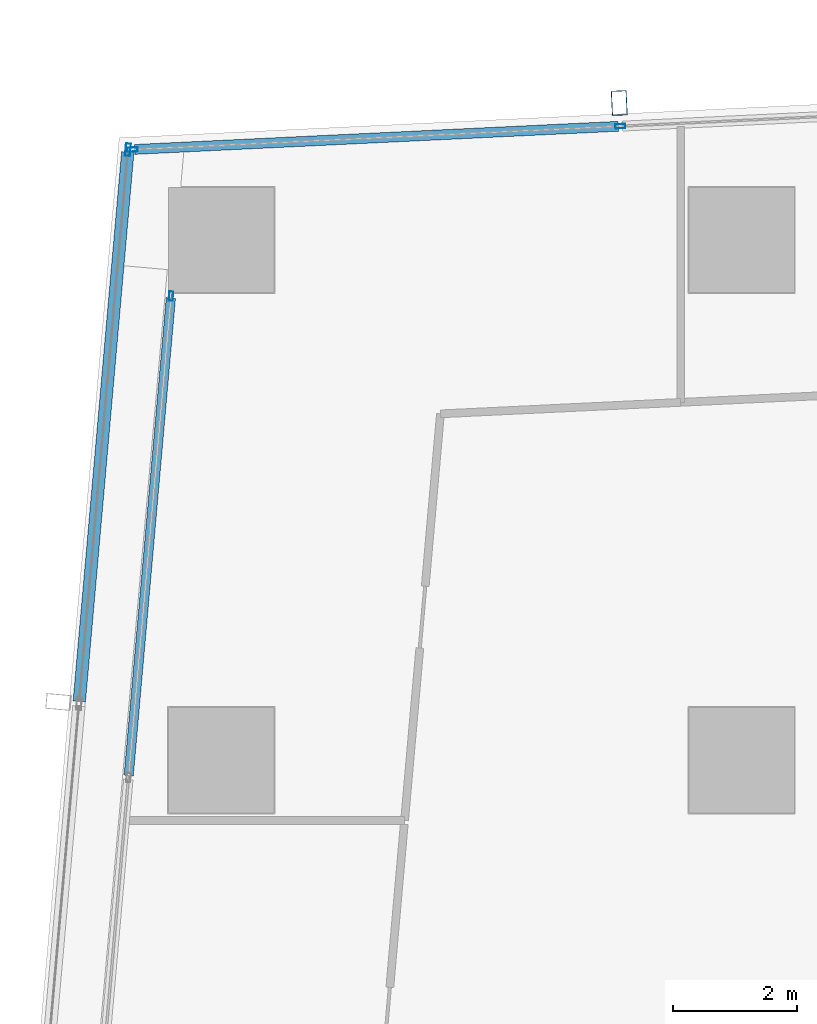
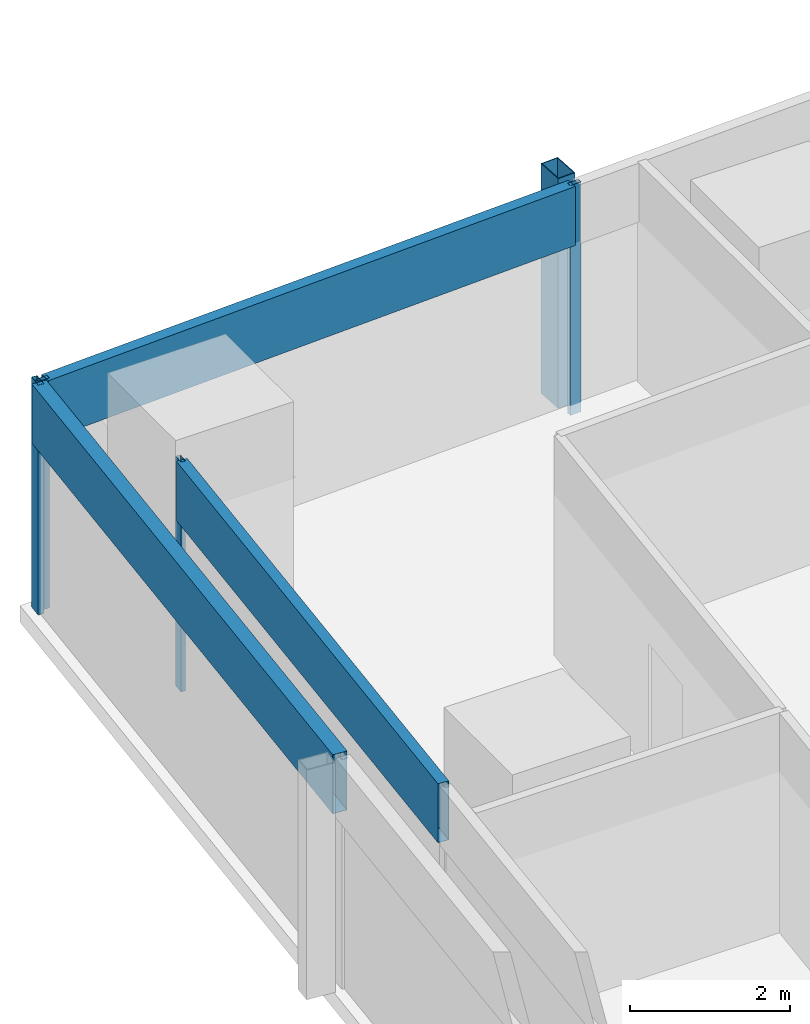
# One storey, part 17 of 39: 8 members, 3 elements without a shape of their own.
"""IFC4 building model written with IfcOpenShell, lengths in metres."""

from ifc_helpers import new_model, si_unit, direction, frame, origin, origin_2d, place, context, subcontext, project, spatial, hollow_rectangle, extrude, material, material_profile, profile_set, type_object, element, aggregate, save


model = new_model("IFC4")

# Units and contexts
model_context = context("Model", 3, precision=1e-05, world=origin(), true_north=direction((0.0, 1.0)))
body_context = subcontext(model_context, "Body", "Model", "MODEL_VIEW")
ifc_project = project(units=[si_unit("LENGTHUNIT", "METRE"), si_unit("AREAUNIT", "SQUARE_METRE"), si_unit("VOLUMEUNIT", "CUBIC_METRE"), si_unit("PLANEANGLEUNIT", "RADIAN"), si_unit("MASSUNIT", "GRAM", prefix="KILO")], contexts=[model_context])

# Site, building, storey
site_placement = place(None, origin())
site = spatial("IfcSite", under=ifc_project, at=site_placement, CompositionType="ELEMENT")
building_placement = place(site_placement, origin())
building = spatial("IfcBuilding", under=site, at=building_placement, Name="Rekha Terrace Tower", CompositionType="ELEMENT")
storey_placement = place(building_placement, frame((0.0, 0.0, 183.949951171875)))
storey = spatial("IfcBuildingStorey", under=building, at=storey_placement, Name="L46", CompositionType="ELEMENT", Elevation=183.949951171875)

# Curtain wall, member
ifc_material_1 = material(Name="Aluminium framing", Category="aluminium")
curtain_wall_type_1 = type_object("IfcCurtainWallType", Name="CW3 north unitised glazing", PredefinedType="USERDEFINED", material=ifc_material_1)
curtain_wall_1_placement = place(storey_placement, origin())
curtain_wall_1 = element("IfcCurtainWall", 1, at=curtain_wall_1_placement, inside=storey, type_object=curtain_wall_type_1, Name="CW3 unitised curtain wall", ObjectType="UNITISED CURTAIN WALL", PredefinedType="USERDEFINED")
ifc_material_2 = material(Name="Steel S355 with fluorocarbon finish", Category="steel")
ifc_material_profile_1 = material_profile(ifc_material_2, hollow_rectangle(XDim=0.25, YDim=0.39990234375, WallThickness=0.012451171875, at=origin_2d()), Name="RHS400x250x12.5")
ifc_profile_set_1 = profile_set([ifc_material_profile_1], Name="Steel S355 with fluorocarbon finish")
member_type_1 = type_object("IfcMemberType", Name="BL1 facade blade RHS 400 x 250", PredefinedType="USERDEFINED", material=ifc_profile_set_1)
member_1_placement = place(storey_placement, frame((14.824951171875, 61.01123046875, 0.0), z_axis=(0.0, 0.0, 1.0), x_axis=(-0.998858913274, -0.04775846913, 0.0)))
member_1 = element("IfcMember", 2, at=member_1_placement, type_object=member_type_1, Name="Facade blade", ObjectType="FACADE BLADE", PredefinedType="USERDEFINED", context=body_context, shape_type="SweptSolid", body=[
    extrude(hollow_rectangle(XDim=0.25, YDim=0.39990234375, WallThickness=0.012451171875, at=origin_2d()), origin(), (0.0, 0.0, 1.0), 3.5),
])

# Curtain wall, members
curtain_wall_type_2 = type_object("IfcCurtainWallType", Name="CW1 double skin inner glazing", PredefinedType="USERDEFINED", material=ifc_material_1)
curtain_wall_2_placement = place(storey_placement, origin())
curtain_wall_2 = element("IfcCurtainWall", 3, at=curtain_wall_2_placement, inside=storey, type_object=curtain_wall_type_2, Name="CW1 double skin inner glazing", ObjectType="DOUBLE SKIN INNER GLAZING", PredefinedType="USERDEFINED")
ifc_material_3 = material(Name="Aluminium mullion section", Category="aluminium")
ifc_material_profile_2 = material_profile(ifc_material_3, hollow_rectangle(XDim=0.06494140625, YDim=0.14990234375, WallThickness=0.00390625, at=origin_2d()), Name="AL RHS 65x150")
ifc_profile_set_2 = profile_set([ifc_material_profile_2], Name="Aluminium mullion section")
member_type_2 = type_object("IfcMemberType", Name="CW1 mullion RHS 65 x 150", PredefinedType="MULLION", material=ifc_profile_set_2)
member_2_placement = place(storey_placement, frame((7.58837890625, 57.893798828125, 0.0), z_axis=(0.0, 0.0, 1.0), x_axis=(0.996124185425, -0.087957985488, 0.0)))
member_2 = element("IfcMember", 4, at=member_2_placement, type_object=member_type_2, Name="CW1 mullion 1", PredefinedType="MULLION", context=body_context, shape_type="SweptSolid", body=[
    extrude(hollow_rectangle(XDim=0.06494140625, YDim=0.14990234375, WallThickness=0.00390625, at=origin_2d()), origin(), (0.0, 0.0, 1.0), 3.5),
])
ifc_material_4 = material(Name="Insulated aluminium spandrel box", Category="aluminium")
ifc_material_profile_3 = material_profile(ifc_material_4, hollow_rectangle(XDim=0.14990234375, YDim=0.89990234375, WallThickness=0.0029296875, at=origin_2d()), Name="AL SPANDREL BOX 150x900")
ifc_profile_set_3 = profile_set([ifc_material_profile_3], Name="Insulated aluminium spandrel box")
member_type_3 = type_object("IfcMemberType", Name="CW1 spandrel transom 150 x 900", PredefinedType="USERDEFINED", material=ifc_profile_set_3)
member_3_placement = place(storey_placement, frame((7.58544921875, 57.861572265625, 3.050048828125), z_axis=(-0.087955497748, -0.99612440509, 0.0), x_axis=(0.99612440509, -0.087955497748, 0.0)))
member_3 = element("IfcMember", 5, at=member_3_placement, type_object=member_type_3, Name="CW1 spandrel transom 1", ObjectType="TRANSOM", PredefinedType="USERDEFINED", context=body_context, shape_type="SweptSolid", body=[
    extrude(hollow_rectangle(XDim=0.14990234375, YDim=0.89990234375, WallThickness=0.0029296875, at=origin_2d()), origin(), (0.0, 0.0, 1.0), 7.73876953125),
])
aggregate(curtain_wall_2, [member_2, member_3])

curtain_wall_type_3 = type_object("IfcCurtainWallType", Name="CW2 double skin outer glazing", PredefinedType="USERDEFINED", material=ifc_material_1)
curtain_wall_3_placement = place(storey_placement, origin())
curtain_wall_3 = element("IfcCurtainWall", 6, at=curtain_wall_3_placement, inside=storey, type_object=curtain_wall_type_3, Name="CW2 double skin outer glazing", ObjectType="DOUBLE SKIN OUTER GLAZING", PredefinedType="USERDEFINED")
ifc_material_profile_4 = material_profile(ifc_material_3, hollow_rectangle(XDim=0.080078125, YDim=0.199951171875, WallThickness=0.00390625, at=origin_2d()), Name="AL RHS 80x200")
ifc_profile_set_4 = profile_set([ifc_material_profile_4], Name="Aluminium mullion section")
member_type_4 = type_object("IfcMemberType", Name="CW2 mullion RHS 80 x 200", PredefinedType="MULLION", material=ifc_profile_set_4)
member_4_placement = place(storey_placement, frame((6.8935546875, 60.257080078125, 0.0), z_axis=(0.0, 0.0, 1.0), x_axis=(0.996124185428, -0.087957985453, 0.0)))
member_4 = element("IfcMember", 7, at=member_4_placement, type_object=member_type_4, Name="CW2 mullion 1", PredefinedType="MULLION", context=body_context, shape_type="SweptSolid", body=[
    extrude(hollow_rectangle(XDim=0.080078125, YDim=0.199951171875, WallThickness=0.00390625, at=origin_2d()), origin(), (0.0, 0.0, 1.0), 3.5),
])
ifc_material_profile_5 = material_profile(ifc_material_4, hollow_rectangle(XDim=0.199951171875, YDim=0.89990234375, WallThickness=0.0029296875, at=origin_2d()), Name="AL SPANDREL BOX 200x900")
ifc_profile_set_5 = profile_set([ifc_material_profile_5], Name="Insulated aluminium spandrel box")
member_type_5 = type_object("IfcMemberType", Name="CW2 spandrel transom 200 x 900", PredefinedType="USERDEFINED", material=ifc_profile_set_5)
member_5_placement = place(storey_placement, frame((6.89013671875, 60.217041015625, 3.050048828125), z_axis=(-0.08797787529, -0.996122428951, 0.0), x_axis=(0.996122428951, -0.08797787529, 0.0)))
member_5 = element("IfcMember", 8, at=member_5_placement, type_object=member_type_5, Name="CW2 spandrel transom 1", ObjectType="TRANSOM", PredefinedType="USERDEFINED", context=body_context, shape_type="SweptSolid", body=[
    extrude(hollow_rectangle(XDim=0.199951171875, YDim=0.89990234375, WallThickness=0.0029296875, at=origin_2d()), origin(), (0.0, 0.0, 1.0), 8.8994140625),
])
aggregate(curtain_wall_3, [member_4, member_5])

# Member
ifc_material_profile_6 = material_profile(ifc_material_3, hollow_rectangle(XDim=0.070068359375, YDim=0.159912109375, WallThickness=0.00390625, at=origin_2d()), Name="AL RHS 70x160")
ifc_profile_set_6 = profile_set([ifc_material_profile_6], Name="Aluminium mullion section")
member_type_6 = type_object("IfcMemberType", Name="CW3 mullion RHS 70 x 160", PredefinedType="MULLION", material=ifc_profile_set_6)
member_6_placement = place(storey_placement, frame((14.843017578125, 60.63671875, 0.0), z_axis=(0.0, 0.0, 1.0), x_axis=(0.047758616983, -0.998858906204, 0.0)))
member_6 = element("IfcMember", 9, at=member_6_placement, type_object=member_type_6, Name="CW3 mullion 5", PredefinedType="MULLION", context=body_context, shape_type="SweptSolid", body=[
    extrude(hollow_rectangle(XDim=0.070068359375, YDim=0.159912109375, WallThickness=0.00390625, at=origin_2d()), origin(), (0.0, 0.0, 1.0), 3.5),
])

member_7_placement = place(storey_placement, frame((6.96875, 60.26025390625, 0.0), z_axis=(0.0, 0.0, 1.0), x_axis=(0.047758616983, -0.998858906204, 0.0)))
member_7 = element("IfcMember", 10, at=member_7_placement, type_object=member_type_6, Name="CW3 mullion 6", PredefinedType="MULLION", context=body_context, shape_type="SweptSolid", body=[
    extrude(hollow_rectangle(XDim=0.070068359375, YDim=0.159912109375, WallThickness=0.00390625, at=origin_2d()), origin(), (0.0, 0.0, 1.0), 3.5),
])

ifc_material_profile_7 = material_profile(ifc_material_4, hollow_rectangle(XDim=0.159912109375, YDim=0.89990234375, WallThickness=0.0029296875, at=origin_2d()), Name="AL SPANDREL BOX 160x900")
ifc_profile_set_7 = profile_set([ifc_material_profile_7], Name="Insulated aluminium spandrel box")
member_type_7 = type_object("IfcMemberType", Name="CW3 spandrel transom 160 x 900", PredefinedType="USERDEFINED", material=ifc_profile_set_7)
member_8_placement = place(storey_placement, frame((14.807861328125, 60.635009765625, 3.050048828125), z_axis=(-0.998859425172, -0.047747761666, 0.0), x_axis=(0.047747761666, -0.998859425172, 0.0)))
member_8 = element("IfcMember", 11, at=member_8_placement, type_object=member_type_7, Name="CW3 spandrel transom 5", ObjectType="TRANSOM", PredefinedType="USERDEFINED", context=body_context, shape_type="SweptSolid", body=[
    extrude(hollow_rectangle(XDim=0.159912109375, YDim=0.89990234375, WallThickness=0.0029296875, at=origin_2d()), origin(), (0.0, 0.0, 1.0), 7.81298828125),
])

aggregate(curtain_wall_1, [member_6, member_7, member_8, member_1])

save(model, "model.ifc")
